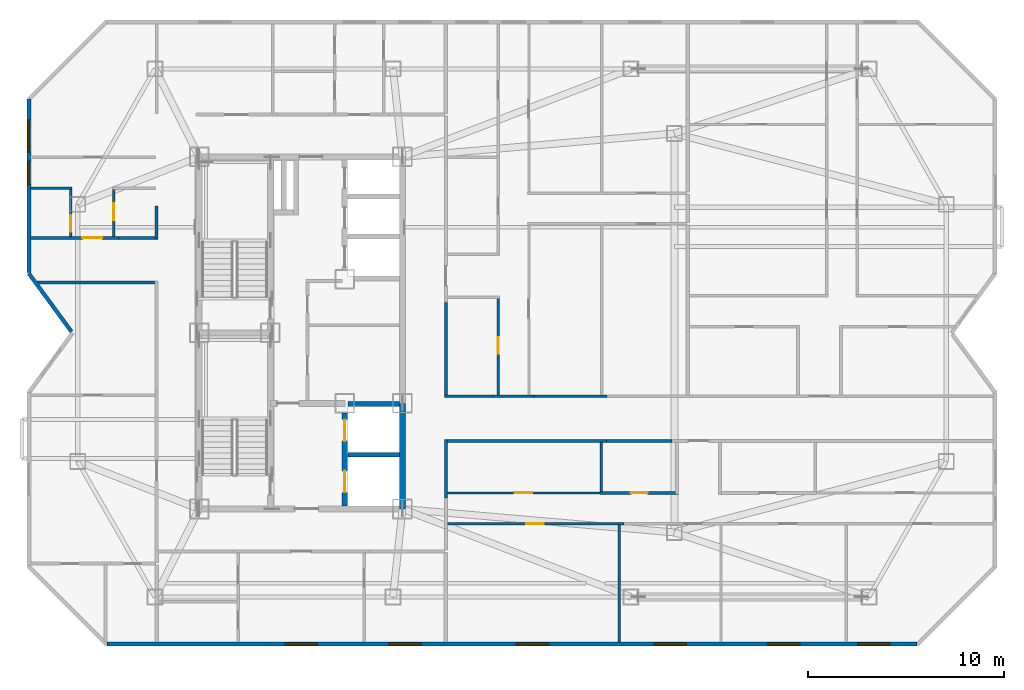
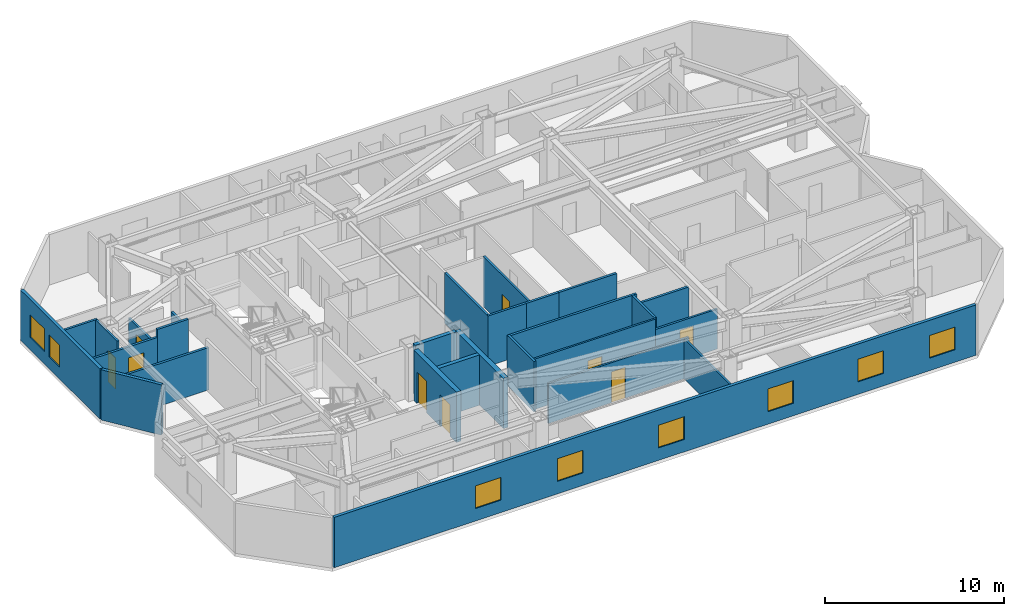
# One storey, part 5 of 10: 27 walls, 9 doors, 8 windows, 17 openings.
"""IFC4 building model written with IfcOpenShell, lengths in metres."""

from ifc_helpers import new_model, si_unit, direction, frame, frame_2d, origin, place, context, subcontext, project, spatial, rectangle, extrude, material, layer, layer_set, type_object, element, fill, save


model = new_model("IFC4")

# Units and contexts
model_context = context("Model", 3, precision=1e-05, world=origin(), true_north=direction((0.0, 1.0)))
body_context = subcontext(model_context, "Body", "Model", "MODEL_VIEW")
ifc_project = project(units=[si_unit("LENGTHUNIT", "METRE"), si_unit("AREAUNIT", "SQUARE_METRE"), si_unit("VOLUMEUNIT", "CUBIC_METRE"), si_unit("PLANEANGLEUNIT", "RADIAN"), si_unit("MASSUNIT", "GRAM", prefix="KILO")], contexts=[model_context])

# Site, building, storey
site_placement = place(None, origin())
site = spatial("IfcSite", under=ifc_project, at=site_placement, CompositionType="ELEMENT")
building_placement = place(site_placement, origin())
building = spatial("IfcBuilding", under=site, at=building_placement, Name="Khamvora Tower", CompositionType="ELEMENT")
storey_placement = place(building_placement, frame((0.0, 0.0, 246.39990234375)))
storey = spatial("IfcBuildingStorey", under=building, at=storey_placement, Name="L63", CompositionType="ELEMENT", Elevation=246.39990234375)

# Wall
ifc_material_1 = material(Name="Concrete C50/60", Category="concrete")
ifc_layer_1 = layer(ifc_material_1, 0.300048828125)
ifc_layer_set_1 = layer_set([ifc_layer_1], Name="Concrete C50/60")
wall_type_1 = type_object("IfcWallType", Name="WAL-CORE-300", PredefinedType="SHEAR", material=ifc_layer_set_1)
wall_1_placement = place(storey_placement, frame((39.39990234375, 19.0, 0.0), z_axis=(0.0, 0.0, 1.0), x_axis=(0.0, 1.0, 0.0)))
element("IfcWall", 1, at=wall_1_placement, inside=storey, type_object=wall_type_1, Name="L63 central core east south wall", PredefinedType="SHEAR", context=body_context, shape_type="SweptSolid", body=[
    extrude(rectangle(XDim=5.39990234375, YDim=0.300048828125, at=frame_2d((2.699951171875, 0.0))), origin(), (0.0, 0.0, 1.0), 3.43017578125),
])

# Wall, openings, doors
wall_2_placement = place(storey_placement, frame((36.449951171875, 19.154052734375, 0.0), z_axis=(0.0, 0.0, 1.0), x_axis=(0.0, 1.0, 0.0)))
wall_2 = element("IfcWall", 2, at=wall_2_placement, inside=storey, type_object=wall_type_1, Name="L63 central core lift bank south wall", PredefinedType="SHEAR", context=body_context, shape_type="SweptSolid", body=[
    extrude(rectangle(XDim=4.745849609375, YDim=0.300048828125, at=frame_2d((2.373046875, 0.0))), origin(), (0.0, 0.0, 1.0), 3.43017578125),
])
opening_1_placement = place(wall_2_placement, frame((0.696044921875, 0.0, 0.0)))
opening_1 = element("IfcOpeningElement", 3, at=opening_1_placement, cuts=wall_2, Name="Opening LD-FFL", PredefinedType="OPENING", context=body_context, shape_type="SweptSolid", body=[
    extrude(rectangle(XDim=1.10009765625, YDim=2.14990234375, at=frame_2d((0.550048828125, 1.074951171875))), frame((0.0, 0.159912109375, 0.0), z_axis=(0.0, -1.0, 0.0), x_axis=(1.0, 0.0, 0.0)), (0.0, 0.0, 1.0), 0.320068359375),
])
opening_2_placement = place(wall_2_placement, frame((3.31591796875, 0.0, 0.0)))
opening_2 = element("IfcOpeningElement", 4, at=opening_2_placement, cuts=wall_2, Name="Opening LD-FFL", PredefinedType="OPENING", context=body_context, shape_type="SweptSolid", body=[
    extrude(rectangle(XDim=1.10009765625, YDim=2.14990234375, at=frame_2d((0.550048828125, 1.074951171875))), frame((0.0, 0.159912109375, 0.0), z_axis=(0.0, -1.0, 0.0), x_axis=(1.0, 0.0, 0.0)), (0.0, 0.0, 1.0), 0.320068359375),
])
ifc_material_2 = material(Name="Powder-Coated Steel and Hardwood Leaf", Category="steel")
door_type_1 = type_object("IfcDoorType", Name="DOR-LIFT-1100", OperationType="SLIDING_TO_LEFT", PredefinedType="DOOR", material=ifc_material_2)
door_1_placement = place(opening_1_placement, origin())
door_1 = element("IfcDoor", 5, at=door_1_placement, inside=storey, type_object=door_type_1, Name="L63 lift landing sliding door FFL-01", OperationType="SLIDING_TO_LEFT", OverallHeight=2.14990234375, OverallWidth=1.10009765625, PredefinedType="DOOR", context=body_context, shape_type="SweptSolid", body=[
    extrude(rectangle(XDim=1.10009765625, YDim=2.14990234375, at=frame_2d((0.550048828125, 1.074951171875))), frame((0.0, 0.02490234375, 0.0), z_axis=(0.0, -1.0, 0.0), x_axis=(1.0, 0.0, 0.0)), (0.0, 0.0, 1.0), 0.050048828125),
])
fill(opening_1, door_1)
door_2_placement = place(opening_2_placement, origin())
door_2 = element("IfcDoor", 6, at=door_2_placement, inside=storey, type_object=door_type_1, Name="L63 lift landing sliding door FFL-02", OperationType="SLIDING_TO_LEFT", OverallHeight=2.14990234375, OverallWidth=1.10009765625, PredefinedType="DOOR", context=body_context, shape_type="SweptSolid", body=[
    extrude(rectangle(XDim=1.10009765625, YDim=2.14990234375, at=frame_2d((0.550048828125, 1.074951171875))), frame((0.0, 0.02490234375, 0.0), z_axis=(0.0, -1.0, 0.0), x_axis=(1.0, 0.0, 0.0)), (0.0, 0.0, 1.0), 0.050048828125),
])
fill(opening_2, door_2)

# Wall
ifc_material_3 = material(Name="Fire-Rated Drywall and Steel Stud", Category="steel")
ifc_layer_2 = layer(ifc_material_3, 0.14990234375)
ifc_layer_set_2 = layer_set([ifc_layer_2], Name="Fire-Rated Drywall and Steel Stud")
wall_type_2 = type_object("IfcWallType", Name="WAL-CORR-150", PredefinedType="STANDARD", material=ifc_layer_set_2)
wall_3_placement = place(storey_placement, frame((26.89794921875, 30.5849609375, 0.0), z_axis=(0.0, 0.0, 1.0), x_axis=(-1.0, 0.0, 0.0)))
element("IfcWall", 7, at=wall_3_placement, inside=storey, type_object=wall_type_2, Name="L63 interior partition wall 008", PredefinedType="STANDARD", context=body_context, shape_type="SweptSolid", body=[
    extrude(rectangle(XDim=6.241943359375, YDim=0.14990234375, at=frame_2d((3.12109375, 0.0))), origin(), (0.0, 0.0, 1.0), 2.88720703125),
])

# Wall, opening, door
wall_4_placement = place(storey_placement, frame((20.39208984375, 32.864990234375, 0.0), z_axis=(0.0, 0.0, 1.0), x_axis=(1.0, 0.0, 0.0)))
wall_4 = element("IfcWall", 8, at=wall_4_placement, inside=storey, type_object=wall_type_2, Name="L63 interior partition wall 009", PredefinedType="STANDARD", context=body_context, shape_type="SweptSolid", body=[
    extrude(rectangle(XDim=4.496826171875, YDim=0.14990234375, at=frame_2d((2.24853515625, 0.0))), origin(), (0.0, 0.0, 1.0), 2.88720703125),
])
opening_3_placement = place(wall_4_placement, frame((2.64794921875, 0.0, 0.0)))
opening_3 = element("IfcOpeningElement", 9, at=opening_3_placement, cuts=wall_4, Name="Opening D-U1", PredefinedType="OPENING", context=body_context, shape_type="SweptSolid", body=[
    extrude(rectangle(XDim=1.0, YDim=2.14990234375, at=frame_2d((0.5, 1.074951171875))), frame((0.0, 0.0849609375, 0.0), z_axis=(0.0, -1.0, 0.0), x_axis=(1.0, 0.0, 0.0)), (0.0, 0.0, 1.0), 0.169921875),
])
door_type_2 = type_object("IfcDoorType", Name="DOR-UNIT-1000", OperationType="NOTDEFINED", PredefinedType="DOOR", material=ifc_material_2)
door_3_placement = place(opening_3_placement, origin())
door_3 = element("IfcDoor", 10, at=door_3_placement, inside=storey, type_object=door_type_2, Name="L63 interior door COR-63WBH", OperationType="SINGLE_SWING_RIGHT", OverallHeight=2.14990234375, OverallWidth=1.0, PredefinedType="DOOR", context=body_context, shape_type="SweptSolid", body=[
    extrude(rectangle(XDim=1.0, YDim=2.14990234375, at=frame_2d((0.5, 1.074951171875))), frame((0.0, 0.02490234375, 0.0), z_axis=(0.0, -1.0, 0.0), x_axis=(1.0, 0.0, 0.0)), (0.0, 0.0, 1.0), 0.050048828125),
])
fill(opening_3, door_3)

# Walls
wall_5_placement = place(storey_placement, frame((24.888916015625, 32.864990234375, 0.0), z_axis=(0.0, 0.0, 1.0), x_axis=(1.0, 0.0, 0.0)))
element("IfcWall", 11, at=wall_5_placement, inside=storey, type_object=wall_type_2, Name="L63 interior partition wall 010", PredefinedType="STANDARD", context=body_context, shape_type="SweptSolid", body=[
    extrude(rectangle(XDim=2.010986328125, YDim=0.14990234375, at=frame_2d((1.00537109375, 0.0))), origin(), (0.0, 0.0, 1.0), 3.43017578125),
])
wall_6_placement = place(storey_placement, frame((26.8349609375, 32.800048828125, 0.0), z_axis=(0.0, 0.0, 1.0), x_axis=(0.0, 1.0, 0.0)))
element("IfcWall", 12, at=wall_6_placement, inside=storey, type_object=wall_type_2, Name="L63 interior partition wall 011", PredefinedType="STANDARD", context=body_context, shape_type="SweptSolid", body=[
    extrude(rectangle(XDim=1.699951171875, YDim=0.14990234375, at=frame_2d((0.85009765625, 0.0))), origin(), (0.0, 0.0, 1.0), 2.95703125),
])
wall_7_placement = place(storey_placement, frame((49.819091796875, 22.485107421875, 0.0), z_axis=(0.0, 0.0, 1.0), x_axis=(-1.0, 0.0, 0.0)))
element("IfcWall", 13, at=wall_7_placement, inside=storey, type_object=wall_type_2, Name="L63 interior partition wall 018", PredefinedType="STANDARD", context=body_context, shape_type="SweptSolid", body=[
    extrude(rectangle(XDim=8.26904296875, YDim=0.14990234375, at=frame_2d((4.134521484375, 0.0))), origin(), (0.0, 0.0, 1.0), 3.43017578125),
])
wall_8_placement = place(storey_placement, frame((41.614990234375, 22.550048828125, 0.0), z_axis=(0.0, 0.0, 1.0), x_axis=(0.0, -1.0, 0.0)))
element("IfcWall", 14, at=wall_8_placement, inside=storey, type_object=wall_type_2, Name="L63 interior partition wall 019", PredefinedType="STANDARD", context=body_context, shape_type="SweptSolid", body=[
    extrude(rectangle(XDim=2.97998046875, YDim=0.14990234375, at=frame_2d((1.489990234375, 0.0))), origin(), (0.0, 0.0, 1.0), 3.43017578125),
])
wall_9_placement = place(storey_placement, frame((53.18603515625, 22.485107421875, 0.0), z_axis=(0.0, 0.0, 1.0), x_axis=(-1.0, 0.0, 0.0)))
element("IfcWall", 15, at=wall_9_placement, inside=storey, type_object=wall_type_2, Name="L63 interior partition wall 023", PredefinedType="STANDARD", context=body_context, shape_type="SweptSolid", body=[
    extrude(rectangle(XDim=3.366943359375, YDim=0.14990234375, at=frame_2d((1.68359375, 0.0))), origin(), (0.0, 0.0, 1.0), 2.72509765625),
])
wall_10_placement = place(storey_placement, frame((44.0390625, 24.764892578125, 0.0), z_axis=(0.0, 0.0, 1.0), x_axis=(1.0, 0.0, 0.0)))
element("IfcWall", 16, at=wall_10_placement, inside=storey, type_object=wall_type_2, Name="L63 interior partition wall 028", PredefinedType="STANDARD", context=body_context, shape_type="SweptSolid", body=[
    extrude(rectangle(XDim=2.077880859375, YDim=0.14990234375, at=frame_2d((1.0390625, 0.0))), origin(), (0.0, 0.0, 1.0), 3.43017578125),
])
wall_11_placement = place(storey_placement, frame((41.614990234375, 29.56689453125, 0.0), z_axis=(0.0, 0.0, 1.0), x_axis=(0.0, -1.0, 0.0)))
element("IfcWall", 17, at=wall_11_placement, inside=storey, type_object=wall_type_2, Name="L63 interior partition wall 030", PredefinedType="STANDARD", context=body_context, shape_type="SweptSolid", body=[
    extrude(rectangle(XDim=4.866943359375, YDim=0.14990234375, at=frame_2d((2.43359375, 0.0))), origin(), (0.0, 0.0, 1.0), 3.43017578125),
])
wall_12_placement = place(storey_placement, frame((41.550048828125, 24.764892578125, 0.0), z_axis=(0.0, 0.0, 1.0), x_axis=(1.0, 0.0, 0.0)))
element("IfcWall", 18, at=wall_12_placement, inside=storey, type_object=wall_type_2, Name="L63 interior partition wall 031", PredefinedType="STANDARD", context=body_context, shape_type="SweptSolid", body=[
    extrude(rectangle(XDim=2.489013671875, YDim=0.14990234375, at=frame_2d((1.24462890625, 0.0))), origin(), (0.0, 0.0, 1.0), 3.43017578125),
])
wall_13_placement = place(storey_placement, frame((46.116943359375, 24.764892578125, 0.0), z_axis=(0.0, 0.0, 1.0), x_axis=(1.0, 0.0, 0.0)))
element("IfcWall", 19, at=wall_13_placement, inside=storey, type_object=wall_type_2, Name="L63 interior partition wall 032", PredefinedType="STANDARD", context=body_context, shape_type="SweptSolid", body=[
    extrude(rectangle(XDim=3.72802734375, YDim=0.14990234375, at=frame_2d((1.864013671875, 0.0))), origin(), (0.0, 0.0, 1.0), 3.43017578125),
])
ifc_material_4 = material(Name="Precast concrete C40/50", Category="concrete")
ifc_layer_3 = layer(ifc_material_4, 0.199951171875)
ifc_layer_set_3 = layer_set([ifc_layer_3], Name="Precast concrete C40/50")
wall_type_3 = type_object("IfcWallType", Name="WAL-EXT-200", PredefinedType="STANDARD", material=ifc_layer_set_3)
wall_14_placement = place(storey_placement, frame((22.472900390625, 28.069091796875, 0.0), z_axis=(0.0, 0.0, 1.0), x_axis=(-0.591248456881, 0.80648946815, 0.0)))
element("IfcWall", 20, at=wall_14_placement, inside=storey, type_object=wall_type_3, Name="L63 exterior facade wall 04.1", PredefinedType="STANDARD", context=body_context, shape_type="SweptSolid", body=[
    extrude(rectangle(XDim=3.675048828125, YDim=0.199951171875, at=frame_2d((1.83740234375, 0.0))), origin(), (0.0, 0.0, 1.0), 3.43017578125),
])

# Wall, openings, windows
wall_15_placement = place(storey_placement, frame((20.300048828125, 31.083984375, 0.0), z_axis=(0.0, 0.0, 1.0), x_axis=(0.0, 1.0, 0.0)))
wall_15 = element("IfcWall", 21, at=wall_15_placement, inside=storey, type_object=wall_type_3, Name="L63 exterior facade wall 05.1", PredefinedType="STANDARD", context=body_context, shape_type="SweptSolid", body=[
    extrude(rectangle(XDim=8.875, YDim=0.199951171875, at=frame_2d((4.4375, 0.0))), origin(), (0.0, 0.0, 1.0), 3.43017578125),
])
opening_4_placement = place(wall_15_placement, frame((4.5009765625, 0.0, 0.800048828125)))
opening_4 = element("IfcOpeningElement", 22, at=opening_4_placement, cuts=wall_15, Name="Opening WN-03", PredefinedType="OPENING", context=body_context, shape_type="SweptSolid", body=[
    extrude(rectangle(XDim=1.199951171875, YDim=1.5, at=frame_2d((0.60009765625, 0.75))), frame((0.0, 0.10986328125, 0.0), z_axis=(0.0, -1.0, 0.0), x_axis=(1.0, 0.0, 0.0)), (0.0, 0.0, 1.0), 0.219970703125),
])
opening_5_placement = place(wall_15_placement, frame((6.166015625, 0.0, 0.85009765625)))
opening_5 = element("IfcOpeningElement", 23, at=opening_5_placement, cuts=wall_15, Name="Opening WN-06", PredefinedType="OPENING", context=body_context, shape_type="SweptSolid", body=[
    extrude(rectangle(XDim=1.64990234375, YDim=1.550048828125, at=frame_2d((0.824951171875, 0.77490234375))), frame((0.0, 0.10986328125, 0.0), z_axis=(0.0, -1.0, 0.0), x_axis=(1.0, 0.0, 0.0)), (0.0, 0.0, 1.0), 0.219970703125),
])
ifc_material_5 = material(Name="Low-E Laminated Double Glazing", Category="glass")
window_type_1 = type_object("IfcWindowType", Name="WIN-VIS-1200x1500", PartitioningType="SINGLE_PANEL", PredefinedType="WINDOW", material=ifc_material_5)
window_1_placement = place(opening_4_placement, origin())
window_1 = element("IfcWindow", 24, at=window_1_placement, inside=storey, type_object=window_type_1, Name="L63 vision window 05.1.01", OverallHeight=1.5, OverallWidth=1.199951171875, PartitioningType="SINGLE_PANEL", PredefinedType="WINDOW", context=body_context, shape_type="SweptSolid", body=[
    extrude(rectangle(XDim=1.199951171875, YDim=1.5, at=frame_2d((0.60009765625, 0.75))), frame((0.0, 0.030029296875, 0.0), z_axis=(0.0, -1.0, 0.0), x_axis=(1.0, 0.0, 0.0)), (0.0, 0.0, 1.0), 0.06005859375),
])
fill(opening_4, window_1)
window_type_2 = type_object("IfcWindowType", Name="WIN-VIS-1650x1550", PartitioningType="SINGLE_PANEL", PredefinedType="WINDOW", material=ifc_material_5)
window_2_placement = place(opening_5_placement, origin())
window_2 = element("IfcWindow", 25, at=window_2_placement, inside=storey, type_object=window_type_2, Name="L63 vision window 05.1.02", OverallHeight=1.550048828125, OverallWidth=1.64990234375, PartitioningType="SINGLE_PANEL", PredefinedType="WINDOW", context=body_context, shape_type="SweptSolid", body=[
    extrude(rectangle(XDim=1.64990234375, YDim=1.550048828125, at=frame_2d((0.824951171875, 0.77490234375))), frame((0.0, 0.030029296875, 0.0), z_axis=(0.0, -1.0, 0.0), x_axis=(1.0, 0.0, 0.0)), (0.0, 0.0, 1.0), 0.06005859375),
])
fill(opening_5, window_2)

wall_16_placement = place(storey_placement, frame((65.696044921875, 12.10009765625, 0.0), z_axis=(0.0, 0.0, 1.0), x_axis=(-1.0, 0.0, 0.0)))
wall_16 = element("IfcWall", 26, at=wall_16_placement, inside=storey, type_object=wall_type_3, Name="L63 exterior facade wall 14.1", PredefinedType="STANDARD", context=body_context, shape_type="SweptSolid", body=[
    extrude(rectangle(XDim=41.39306640625, YDim=0.199951171875, at=frame_2d((20.696533203125, 0.0))), origin(), (0.0, 0.0, 1.0), 3.43017578125),
])
opening_6_placement = place(wall_16_placement, frame((30.64599609375, 0.0, 0.85009765625)))
opening_6 = element("IfcOpeningElement", 27, at=opening_6_placement, cuts=wall_16, Name="Opening WN-06", PredefinedType="OPENING", context=body_context, shape_type="SweptSolid", body=[
    extrude(rectangle(XDim=1.64990234375, YDim=1.550048828125, at=frame_2d((0.824951171875, 0.77490234375))), frame((0.0, 0.10986328125, 0.0), z_axis=(0.0, -1.0, 0.0), x_axis=(1.0, 0.0, 0.0)), (0.0, 0.0, 1.0), 0.219970703125),
])
opening_7_placement = place(wall_16_placement, frame((25.339111328125, 0.0, 0.85009765625)))
opening_7 = element("IfcOpeningElement", 28, at=opening_7_placement, cuts=wall_16, Name="Opening WN-06", PredefinedType="OPENING", context=body_context, shape_type="SweptSolid", body=[
    extrude(rectangle(XDim=1.64990234375, YDim=1.550048828125, at=frame_2d((0.824951171875, 0.77490234375))), frame((0.0, 0.10986328125, 0.0), z_axis=(0.0, -1.0, 0.0), x_axis=(1.0, 0.0, 0.0)), (0.0, 0.0, 1.0), 0.219970703125),
])
opening_8_placement = place(wall_16_placement, frame((18.823974609375, 0.0, 0.85009765625)))
opening_8 = element("IfcOpeningElement", 29, at=opening_8_placement, cuts=wall_16, Name="Opening WN-06", PredefinedType="OPENING", context=body_context, shape_type="SweptSolid", body=[
    extrude(rectangle(XDim=1.64990234375, YDim=1.550048828125, at=frame_2d((0.824951171875, 0.77490234375))), frame((0.0, 0.10986328125, 0.0), z_axis=(0.0, -1.0, 0.0), x_axis=(1.0, 0.0, 0.0)), (0.0, 0.0, 1.0), 0.219970703125),
])
opening_9_placement = place(wall_16_placement, frame((11.7890625, 0.0, 0.85009765625)))
opening_9 = element("IfcOpeningElement", 30, at=opening_9_placement, cuts=wall_16, Name="Opening WN-06", PredefinedType="OPENING", context=body_context, shape_type="SweptSolid", body=[
    extrude(rectangle(XDim=1.64990234375, YDim=1.550048828125, at=frame_2d((0.824951171875, 0.77490234375))), frame((0.0, 0.10986328125, 0.0), z_axis=(0.0, -1.0, 0.0), x_axis=(1.0, 0.0, 0.0)), (0.0, 0.0, 1.0), 0.219970703125),
])
opening_10_placement = place(wall_16_placement, frame((5.98388671875, 0.0, 0.85009765625)))
opening_10 = element("IfcOpeningElement", 31, at=opening_10_placement, cuts=wall_16, Name="Opening WN-06", PredefinedType="OPENING", context=body_context, shape_type="SweptSolid", body=[
    extrude(rectangle(XDim=1.64990234375, YDim=1.550048828125, at=frame_2d((0.824951171875, 0.77490234375))), frame((0.0, 0.10986328125, 0.0), z_axis=(0.0, -1.0, 0.0), x_axis=(1.0, 0.0, 0.0)), (0.0, 0.0, 1.0), 0.219970703125),
])
opening_11_placement = place(wall_16_placement, frame((1.37109375, 0.0, 0.85009765625)))
opening_11 = element("IfcOpeningElement", 32, at=opening_11_placement, cuts=wall_16, Name="Opening WN-06", PredefinedType="OPENING", context=body_context, shape_type="SweptSolid", body=[
    extrude(rectangle(XDim=1.64990234375, YDim=1.550048828125, at=frame_2d((0.824951171875, 0.77490234375))), frame((0.0, 0.10986328125, 0.0), z_axis=(0.0, -1.0, 0.0), x_axis=(1.0, 0.0, 0.0)), (0.0, 0.0, 1.0), 0.219970703125),
])
window_3_placement = place(opening_6_placement, origin())
window_3 = element("IfcWindow", 33, at=window_3_placement, inside=storey, type_object=window_type_2, Name="L63 vision window 14.1.01", OverallHeight=1.550048828125, OverallWidth=1.64990234375, PartitioningType="SINGLE_PANEL", PredefinedType="WINDOW", context=body_context, shape_type="SweptSolid", body=[
    extrude(rectangle(XDim=1.64990234375, YDim=1.550048828125, at=frame_2d((0.824951171875, 0.77490234375))), frame((0.0, 0.030029296875, 0.0), z_axis=(0.0, -1.0, 0.0), x_axis=(1.0, 0.0, 0.0)), (0.0, 0.0, 1.0), 0.06005859375),
])
fill(opening_6, window_3)
window_4_placement = place(opening_7_placement, origin())
window_4 = element("IfcWindow", 34, at=window_4_placement, inside=storey, type_object=window_type_2, Name="L63 vision window 14.1.02", OverallHeight=1.550048828125, OverallWidth=1.64990234375, PartitioningType="SINGLE_PANEL", PredefinedType="WINDOW", context=body_context, shape_type="SweptSolid", body=[
    extrude(rectangle(XDim=1.64990234375, YDim=1.550048828125, at=frame_2d((0.824951171875, 0.77490234375))), frame((0.0, 0.030029296875, 0.0), z_axis=(0.0, -1.0, 0.0), x_axis=(1.0, 0.0, 0.0)), (0.0, 0.0, 1.0), 0.06005859375),
])
fill(opening_7, window_4)
window_5_placement = place(opening_8_placement, origin())
window_5 = element("IfcWindow", 35, at=window_5_placement, inside=storey, type_object=window_type_2, Name="L63 vision window 14.1.03", OverallHeight=1.550048828125, OverallWidth=1.64990234375, PartitioningType="SINGLE_PANEL", PredefinedType="WINDOW", context=body_context, shape_type="SweptSolid", body=[
    extrude(rectangle(XDim=1.64990234375, YDim=1.550048828125, at=frame_2d((0.824951171875, 0.77490234375))), frame((0.0, 0.030029296875, 0.0), z_axis=(0.0, -1.0, 0.0), x_axis=(1.0, 0.0, 0.0)), (0.0, 0.0, 1.0), 0.06005859375),
])
fill(opening_8, window_5)
window_6_placement = place(opening_9_placement, origin())
window_6 = element("IfcWindow", 36, at=window_6_placement, inside=storey, type_object=window_type_2, Name="L63 vision window 14.1.04", OverallHeight=1.550048828125, OverallWidth=1.64990234375, PartitioningType="SINGLE_PANEL", PredefinedType="WINDOW", context=body_context, shape_type="SweptSolid", body=[
    extrude(rectangle(XDim=1.64990234375, YDim=1.550048828125, at=frame_2d((0.824951171875, 0.77490234375))), frame((0.0, 0.030029296875, 0.0), z_axis=(0.0, -1.0, 0.0), x_axis=(1.0, 0.0, 0.0)), (0.0, 0.0, 1.0), 0.06005859375),
])
fill(opening_9, window_6)
window_7_placement = place(opening_10_placement, origin())
window_7 = element("IfcWindow", 37, at=window_7_placement, inside=storey, type_object=window_type_2, Name="L63 vision window 14.1.05", OverallHeight=1.550048828125, OverallWidth=1.64990234375, PartitioningType="SINGLE_PANEL", PredefinedType="WINDOW", context=body_context, shape_type="SweptSolid", body=[
    extrude(rectangle(XDim=1.64990234375, YDim=1.550048828125, at=frame_2d((0.824951171875, 0.77490234375))), frame((0.0, 0.030029296875, 0.0), z_axis=(0.0, -1.0, 0.0), x_axis=(1.0, 0.0, 0.0)), (0.0, 0.0, 1.0), 0.06005859375),
])
fill(opening_10, window_7)
window_8_placement = place(opening_11_placement, origin())
window_8 = element("IfcWindow", 38, at=window_8_placement, inside=storey, type_object=window_type_2, Name="L63 vision window 14.1.06", OverallHeight=1.550048828125, OverallWidth=1.64990234375, PartitioningType="SINGLE_PANEL", PredefinedType="WINDOW", context=body_context, shape_type="SweptSolid", body=[
    extrude(rectangle(XDim=1.64990234375, YDim=1.550048828125, at=frame_2d((0.824951171875, 0.77490234375))), frame((0.0, 0.030029296875, 0.0), z_axis=(0.0, -1.0, 0.0), x_axis=(1.0, 0.0, 0.0)), (0.0, 0.0, 1.0), 0.06005859375),
])
fill(opening_11, window_8)

# Wall, opening, door
ifc_material_6 = material(Name="Gypsum Plasterboard Partition", Category="gypsum")
ifc_layer_4 = layer(ifc_material_6, 0.1201171875)
ifc_layer_set_4 = layer_set([ifc_layer_4], Name="Gypsum Plasterboard Partition")
wall_type_4 = type_object("IfcWallType", Name="WAL-PART-120", PredefinedType="PARTITIONING", material=ifc_layer_set_4)
wall_17_placement = place(storey_placement, frame((49.5048828125, 19.819091796875, 0.0), z_axis=(0.0, 0.0, 1.0), x_axis=(-1.0, 0.0, 0.0)))
wall_17 = element("IfcWall", 39, at=wall_17_placement, inside=storey, type_object=wall_type_4, Name="L63 interior partition wall 062", PredefinedType="PARTITIONING", context=body_context, shape_type="SweptSolid", body=[
    extrude(rectangle(XDim=7.822998046875, YDim=0.1201171875, at=frame_2d((3.91162109375, 0.0))), origin(), (0.0, 0.0, 1.0), 3.43017578125),
])
opening_12_placement = place(wall_17_placement, frame((3.4619140625, 0.0, 0.0)))
opening_12 = element("IfcOpeningElement", 40, at=opening_12_placement, cuts=wall_17, Name="Opening D-RM1", PredefinedType="OPENING", context=body_context, shape_type="SweptSolid", body=[
    extrude(rectangle(XDim=0.89990234375, YDim=2.10009765625, at=frame_2d((0.449951171875, 1.050048828125))), frame((0.0, 0.070068359375, 0.0), z_axis=(0.0, -1.0, 0.0), x_axis=(1.0, 0.0, 0.0)), (0.0, 0.0, 1.0), 0.14013671875),
])
door_type_3 = type_object("IfcDoorType", Name="DOR-ROOM-900", OperationType="NOTDEFINED", PredefinedType="DOOR", material=ifc_material_2)
door_4_placement = place(opening_12_placement, origin())
door_4 = element("IfcDoor", 41, at=door_4_placement, inside=storey, type_object=door_type_3, Name="L63 interior door 63EAW1-63EAH", OperationType="SINGLE_SWING_LEFT", OverallHeight=2.10009765625, OverallWidth=0.89990234375, PredefinedType="DOOR", context=body_context, shape_type="SweptSolid", body=[
    extrude(rectangle(XDim=0.89990234375, YDim=2.10009765625, at=frame_2d((0.449951171875, 1.050048828125))), frame((0.0, 0.02490234375, 0.0), z_axis=(0.0, -1.0, 0.0), x_axis=(1.0, 0.0, 0.0)), (0.0, 0.0, 1.0), 0.050048828125),
])
fill(opening_12, door_4)

wall_18_placement = place(storey_placement, frame((50.72802734375, 18.239013671875, 0.0), z_axis=(0.0, 0.0, 1.0), x_axis=(-1.0, 0.0, 0.0)))
wall_18 = element("IfcWall", 42, at=wall_18_placement, inside=storey, type_object=wall_type_4, Name="L63 interior partition wall 070", PredefinedType="PARTITIONING", context=body_context, shape_type="SweptSolid", body=[
    extrude(rectangle(XDim=9.046142578125, YDim=0.1201171875, at=frame_2d((4.52294921875, 0.0))), origin(), (0.0, 0.0, 1.0), 2.72509765625),
])
opening_13_placement = place(wall_18_placement, frame((4.093994140625, 0.0, 0.0)))
opening_13 = element("IfcOpeningElement", 43, at=opening_13_placement, cuts=wall_18, Name="Opening D-RM1", PredefinedType="OPENING", context=body_context, shape_type="SweptSolid", body=[
    extrude(rectangle(XDim=0.89990234375, YDim=2.10009765625, at=frame_2d((0.449951171875, 1.050048828125))), frame((0.0, 0.070068359375, 0.0), z_axis=(0.0, -1.0, 0.0), x_axis=(1.0, 0.0, 0.0)), (0.0, 0.0, 1.0), 0.14013671875),
])
door_5_placement = place(opening_13_placement, origin())
door_5 = element("IfcDoor", 44, at=door_5_placement, inside=storey, type_object=door_type_3, Name="L63 interior door 63EAH-63EAR1", OperationType="SINGLE_SWING_LEFT", OverallHeight=2.10009765625, OverallWidth=0.89990234375, PredefinedType="DOOR", context=body_context, shape_type="SweptSolid", body=[
    extrude(rectangle(XDim=0.89990234375, YDim=2.10009765625, at=frame_2d((0.449951171875, 1.050048828125))), frame((0.0, 0.02490234375, 0.0), z_axis=(0.0, -1.0, 0.0), x_axis=(1.0, 0.0, 0.0)), (0.0, 0.0, 1.0), 0.050048828125),
])
fill(opening_13, door_5)

# Walls
wall_19_placement = place(storey_placement, frame((50.47900390625, 18.18505859375, 0.0), z_axis=(0.0, 0.0, 1.0), x_axis=(0.0, -1.0, 0.0)))
element("IfcWall", 45, at=wall_19_placement, inside=storey, type_object=wall_type_4, Name="L63 interior partition wall 074", PredefinedType="PARTITIONING", context=body_context, shape_type="SweptSolid", body=[
    extrude(rectangle(XDim=5.9931640625, YDim=0.1201171875, at=frame_2d((2.99658203125, 0.0))), origin(), (0.0, 0.0, 1.0), 2.72509765625),
])
ifc_material_7 = material(Name="Concrete C40/50", Category="concrete")
ifc_layer_5 = layer(ifc_material_7, 0.25)
ifc_layer_set_5 = layer_set([ifc_layer_5], Name="Concrete C40/50")
wall_type_5 = type_object("IfcWallType", Name="WAL-PODS-250", PredefinedType="SHEAR", material=ifc_layer_set_5)
for number, where, z_axis, x_axis, name in (
    (46, (36.60400390625, 21.77490234375, 0.0), (0.0, 0.0, 1.0), (1.0, 0.0, 0.0), "L63 lift shaft divider wall FFL-01"),
    (47, (36.60400390625, 24.375, 0.0), (0.0, 0.0, 1.0), (1.0, 0.0, 0.0), "L63 lift shaft divider wall FFL-02"),
):
    element("IfcWall", number, at=place(storey_placement, frame(where, z_axis=z_axis, x_axis=x_axis)), inside=storey, type_object=wall_type_5, Name=name, PredefinedType="SHEAR", context=body_context, shape_type="SweptSolid", body=[
        extrude(rectangle(XDim=2.64208984375, YDim=0.25, at=frame_2d((1.321044921875, 0.0))), origin(), (0.0, 0.0, 1.0), 3.43017578125),
    ])

# Wall, opening, door
ifc_material_8 = material(Name="Moisture-Resistant Plasterboard Partition", Category="gypsum")
ifc_layer_6 = layer(ifc_material_8, 0.135009765625)
ifc_layer_set_6 = layer_set([ifc_layer_6], Name="Moisture-Resistant Plasterboard Partition")
wall_type_6 = type_object("IfcWallType", Name="WAL-WET-135", PredefinedType="PARTITIONING", material=ifc_layer_set_6)
wall_20_placement = place(storey_placement, frame((22.43994140625, 32.931884765625, 0.0), z_axis=(0.0, 0.0, 1.0), x_axis=(0.0, 1.0, 0.0)))
wall_20 = element("IfcWall", 48, at=wall_20_placement, inside=storey, type_object=wall_type_6, Name="L63 interior partition wall 047", PredefinedType="PARTITIONING", context=body_context, shape_type="SweptSolid", body=[
    extrude(rectangle(XDim=2.528076171875, YDim=0.135009765625, at=frame_2d((1.26416015625, 0.0))), origin(), (0.0, 0.0, 1.0), 3.43017578125),
])
opening_14_placement = place(wall_20_placement, frame((0.241943359375, 0.0, 0.0)))
opening_14 = element("IfcOpeningElement", 49, at=opening_14_placement, cuts=wall_20, Name="Opening D-WC1", PredefinedType="OPENING", context=body_context, shape_type="SweptSolid", body=[
    extrude(rectangle(XDim=0.85009765625, YDim=2.10009765625, at=frame_2d((0.425048828125, 1.050048828125))), frame((0.0, 0.077392578125, 0.0), z_axis=(0.0, -1.0, 0.0), x_axis=(1.0, 0.0, 0.0)), (0.0, 0.0, 1.0), 0.155029296875),
])
door_type_4 = type_object("IfcDoorType", Name="DOR-WET-850", OperationType="NOTDEFINED", PredefinedType="DOOR", material=ifc_material_2)
door_6_placement = place(opening_14_placement, origin())
door_6 = element("IfcDoor", 50, at=door_6_placement, inside=storey, type_object=door_type_4, Name="L63 interior door 63WBH-63WBB", OperationType="SINGLE_SWING_LEFT", OverallHeight=2.10009765625, OverallWidth=0.85009765625, PredefinedType="DOOR", context=body_context, shape_type="SweptSolid", body=[
    extrude(rectangle(XDim=0.85009765625, YDim=2.10009765625, at=frame_2d((0.425048828125, 1.050048828125))), frame((0.0, 0.02490234375, 0.0), z_axis=(0.0, -1.0, 0.0), x_axis=(1.0, 0.0, 0.0)), (0.0, 0.0, 1.0), 0.050048828125),
])
fill(opening_14, door_6)

# Wall
wall_21_placement = place(storey_placement, frame((22.5048828125, 35.39501953125, 0.0), z_axis=(0.0, 0.0, 1.0), x_axis=(-1.0, 0.0, 0.0)))
element("IfcWall", 51, at=wall_21_placement, inside=storey, type_object=wall_type_6, Name="L63 interior partition wall 048", PredefinedType="PARTITIONING", context=body_context, shape_type="SweptSolid", body=[
    extrude(rectangle(XDim=2.11279296875, YDim=0.135009765625, at=frame_2d((1.056396484375, 0.0))), origin(), (0.0, 0.0, 1.0), 3.43017578125),
])

# Wall, opening, door
wall_22_placement = place(storey_placement, frame((24.639892578125, 35.4599609375, 0.0), z_axis=(0.0, 0.0, 1.0), x_axis=(0.0, -1.0, 0.0)))
wall_22 = element("IfcWall", 52, at=wall_22_placement, inside=storey, type_object=wall_type_6, Name="L63 interior partition wall 050", PredefinedType="PARTITIONING", context=body_context, shape_type="SweptSolid", body=[
    extrude(rectangle(XDim=2.528076171875, YDim=0.135009765625, at=frame_2d((1.26416015625, 0.0))), origin(), (0.0, 0.0, 1.0), 2.72509765625),
])
opening_15_placement = place(wall_22_placement, frame((0.839111328125, 0.0, 0.0)))
opening_15 = element("IfcOpeningElement", 53, at=opening_15_placement, cuts=wall_22, Name="Opening D-RM2", PredefinedType="OPENING", context=body_context, shape_type="SweptSolid", body=[
    extrude(rectangle(XDim=0.85009765625, YDim=2.10009765625, at=frame_2d((0.425048828125, 1.050048828125))), frame((0.0, 0.077392578125, 0.0), z_axis=(0.0, -1.0, 0.0), x_axis=(1.0, 0.0, 0.0)), (0.0, 0.0, 1.0), 0.155029296875),
])
door_type_5 = type_object("IfcDoorType", Name="DOR-ROOM-850", OperationType="NOTDEFINED", PredefinedType="DOOR", material=ifc_material_2)
door_7_placement = place(opening_15_placement, origin())
door_7 = element("IfcDoor", 54, at=door_7_placement, inside=storey, type_object=door_type_5, Name="L63 interior door 63WBH-63WBK", OperationType="SINGLE_SWING_LEFT", OverallHeight=2.10009765625, OverallWidth=0.85009765625, PredefinedType="DOOR", context=body_context, shape_type="SweptSolid", body=[
    extrude(rectangle(XDim=0.85009765625, YDim=2.10009765625, at=frame_2d((0.425048828125, 1.050048828125))), frame((0.0, 0.02490234375, 0.0), z_axis=(0.0, -1.0, 0.0), x_axis=(1.0, 0.0, 0.0)), (0.0, 0.0, 1.0), 0.050048828125),
])
fill(opening_15, door_7)

# Wall
wall_23_placement = place(storey_placement, frame((49.570068359375, 22.41796875, 0.0), z_axis=(0.0, 0.0, 1.0), x_axis=(0.0, -1.0, 0.0)))
element("IfcWall", 55, at=wall_23_placement, inside=storey, type_object=wall_type_6, Name="L63 interior partition wall 063", PredefinedType="PARTITIONING", context=body_context, shape_type="SweptSolid", body=[
    extrude(rectangle(XDim=2.533935546875, YDim=0.135009765625, at=frame_2d((1.26708984375, 0.0))), origin(), (0.0, 0.0, 1.0), 3.43017578125),
])

# Wall, opening, door
wall_24_placement = place(storey_placement, frame((49.5048828125, 19.819091796875, 0.0), z_axis=(0.0, 0.0, 1.0), x_axis=(1.0, 0.0, 0.0)))
wall_24 = element("IfcWall", 56, at=wall_24_placement, inside=storey, type_object=wall_type_6, Name="L63 interior partition wall 066", PredefinedType="PARTITIONING", context=body_context, shape_type="SweptSolid", body=[
    extrude(rectangle(XDim=3.9951171875, YDim=0.135009765625, at=frame_2d((1.99755859375, 0.0))), origin(), (0.0, 0.0, 1.0), 2.72509765625),
])
opening_16_placement = place(wall_24_placement, frame((1.572998046875, 0.0, 0.0)))
opening_16 = element("IfcOpeningElement", 57, at=opening_16_placement, cuts=wall_24, Name="Opening D-WC1", PredefinedType="OPENING", context=body_context, shape_type="SweptSolid", body=[
    extrude(rectangle(XDim=0.85009765625, YDim=2.10009765625, at=frame_2d((0.425048828125, 1.050048828125))), frame((0.0, 0.077392578125, 0.0), z_axis=(0.0, -1.0, 0.0), x_axis=(1.0, 0.0, 0.0)), (0.0, 0.0, 1.0), 0.155029296875),
])
door_8_placement = place(opening_16_placement, origin())
door_8 = element("IfcDoor", 58, at=door_8_placement, inside=storey, type_object=door_type_4, Name="L63 interior door 63EAH-63EAB", OperationType="SINGLE_SWING_LEFT", OverallHeight=2.10009765625, OverallWidth=0.85009765625, PredefinedType="DOOR", context=body_context, shape_type="SweptSolid", body=[
    extrude(rectangle(XDim=0.85009765625, YDim=2.10009765625, at=frame_2d((0.425048828125, 1.050048828125))), frame((0.0, 0.02490234375, 0.0), z_axis=(0.0, -1.0, 0.0), x_axis=(1.0, 0.0, 0.0)), (0.0, 0.0, 1.0), 0.050048828125),
])
fill(opening_16, door_8)

wall_25_placement = place(storey_placement, frame((44.2880859375, 24.83203125, 0.0), z_axis=(0.0, 0.0, 1.0), x_axis=(0.0, 1.0, 0.0)))
wall_25 = element("IfcWall", 59, at=wall_25_placement, inside=storey, type_object=wall_type_6, Name="L63 interior partition wall 081", PredefinedType="PARTITIONING", context=body_context, shape_type="SweptSolid", body=[
    extrude(rectangle(XDim=5.049072265625, YDim=0.135009765625, at=frame_2d((2.5244140625, 0.0))), origin(), (0.0, 0.0, 1.0), 3.43017578125),
])
opening_17_placement = place(wall_25_placement, frame((2.10009765625, 0.0, 0.0)))
opening_17 = element("IfcOpeningElement", 60, at=opening_17_placement, cuts=wall_25, Name="Opening D-RM2", PredefinedType="OPENING", context=body_context, shape_type="SweptSolid", body=[
    extrude(rectangle(XDim=0.85009765625, YDim=2.10009765625, at=frame_2d((0.425048828125, 1.050048828125))), frame((0.0, 0.077392578125, 0.0), z_axis=(0.0, -1.0, 0.0), x_axis=(1.0, 0.0, 0.0)), (0.0, 0.0, 1.0), 0.155029296875),
])
door_9_placement = place(opening_17_placement, origin())
door_9 = element("IfcDoor", 61, at=door_9_placement, inside=storey, type_object=door_type_5, Name="L63 interior door 63EBH-63EBK", OperationType="SINGLE_SWING_RIGHT", OverallHeight=2.10009765625, OverallWidth=0.85009765625, PredefinedType="DOOR", context=body_context, shape_type="SweptSolid", body=[
    extrude(rectangle(XDim=0.85009765625, YDim=2.10009765625, at=frame_2d((0.425048828125, 1.050048828125))), frame((0.0, 0.02490234375, 0.0), z_axis=(0.0, -1.0, 0.0), x_axis=(1.0, 0.0, 0.0)), (0.0, 0.0, 1.0), 0.050048828125),
])
fill(opening_17, door_9)

save(model, "model.ifc")
